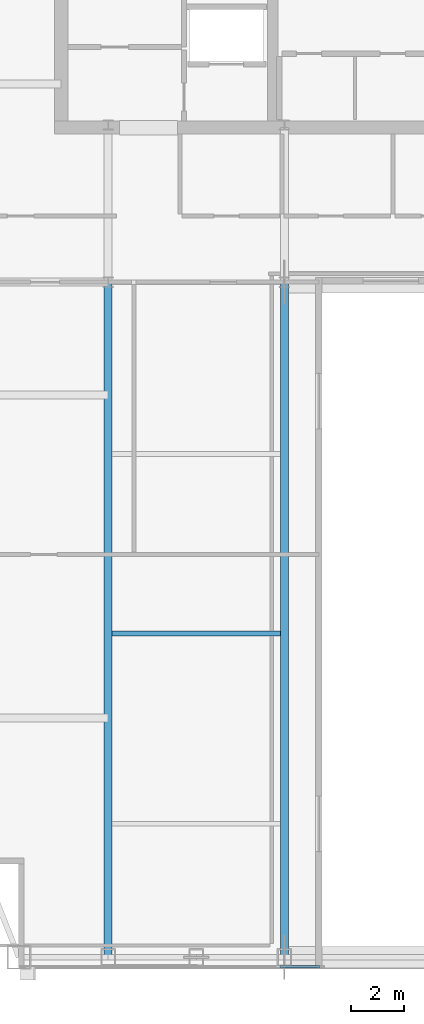
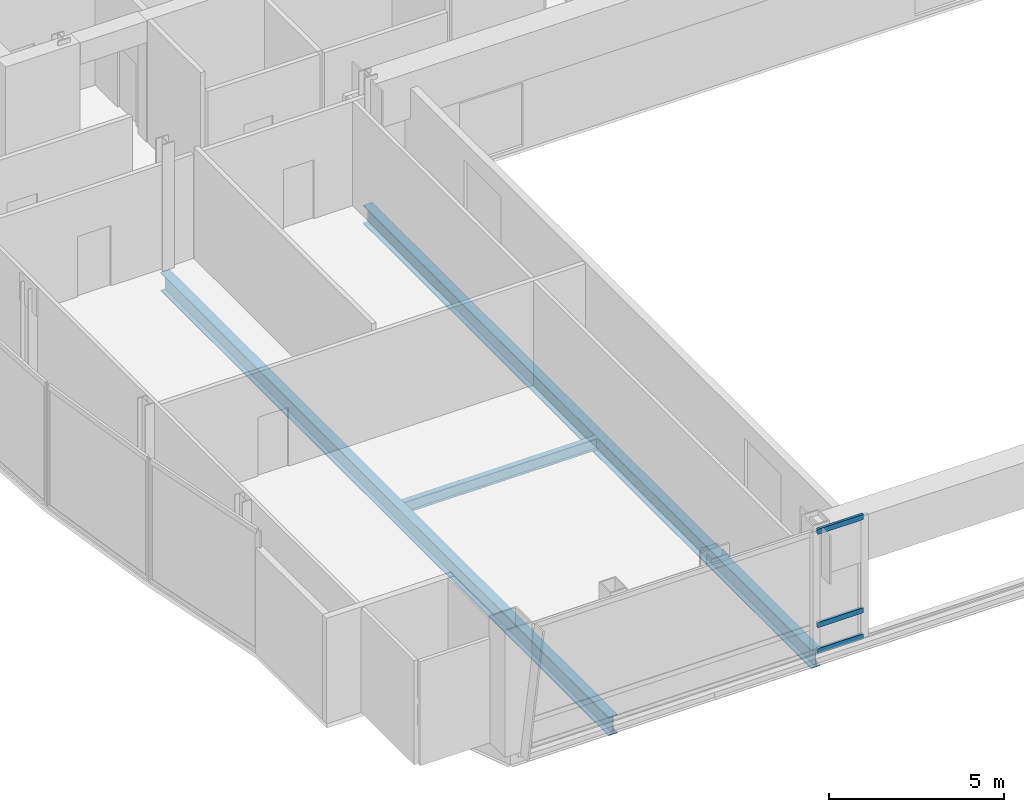
# One storey, part 6 of 27: 3 beams, 3 members, 1 element without a shape of its own.
"""IFC4 building model written with IfcOpenShell, lengths in metres."""

from ifc_helpers import new_model, si_unit, direction, frame, origin, origin_2d, place, context, subcontext, project, spatial, hollow_rectangle, i_section, extrude, material, material_profile, profile_set, type_object, element, aggregate, save


model = new_model("IFC4")

# Units and contexts
model_context = context("Model", 3, precision=1e-05, world=origin(), true_north=direction((0.0, 1.0)))
body_context = subcontext(model_context, "Body", "Model", "MODEL_VIEW")
ifc_project = project(units=[si_unit("LENGTHUNIT", "METRE"), si_unit("AREAUNIT", "SQUARE_METRE"), si_unit("VOLUMEUNIT", "CUBIC_METRE"), si_unit("PLANEANGLEUNIT", "RADIAN"), si_unit("MASSUNIT", "GRAM", prefix="KILO")], contexts=[model_context])

# Site, building, storey
site_placement = place(None, origin())
site = spatial("IfcSite", under=ifc_project, at=site_placement, CompositionType="ELEMENT")
building_placement = place(site_placement, origin())
building = spatial("IfcBuilding", under=site, at=building_placement, Name="Khoronbel Lancet Exchange", CompositionType="ELEMENT")
storey_placement = place(building_placement, frame((0.0, 0.0, 310.199951171875)))
storey = spatial("IfcBuildingStorey", under=building, at=storey_placement, Name="L80", CompositionType="ELEMENT", Elevation=310.199951171875)

# Beams
ifc_material_1 = material(Name="Steel S355", Category="steel")
ifc_material_profile_1 = material_profile(ifc_material_1, i_section(OverallWidth=0.300048828125, OverallDepth=0.64990234375, WebThickness=0.01611328125, FlangeThickness=0.031005859375, at=origin_2d()), Name="HEB 650")
ifc_profile_set_1 = profile_set([ifc_material_profile_1], Name="Steel S355")
beam_type_1 = type_object("IfcBeamType", Name="BM-BG4", PredefinedType="BEAM", material=ifc_profile_set_1)
for number, where, z_axis, x_axis, name in (
    (1, (18.22509765625, 10.14990234375, -0.48486328125), (0.0, 1.0, 0.0), (-1.0, 0.0, 0.0), "Level L80 south primary girder GS1"),
    (2, (24.89990234375, 10.14990234375, -0.48486328125), (0.0, 1.0, 0.0), (-1.0, 0.0, 0.0), "Level L80 south primary girder GS2"),
):
    element("IfcBeam", number, at=place(storey_placement, frame(where, z_axis=z_axis, x_axis=x_axis)), inside=storey, type_object=beam_type_1, Name=name, PredefinedType="BEAM", context=body_context, shape_type="SweptSolid", body=[
        extrude(i_section(OverallWidth=0.300048828125, OverallDepth=0.64990234375, WebThickness=0.01611328125, FlangeThickness=0.031005859375, at=origin_2d()), origin(), (0.0, 0.0, 1.0), 25.550048828125),
    ])
ifc_material_profile_2 = material_profile(ifc_material_1, i_section(OverallWidth=0.179931640625, OverallDepth=0.39990234375, WebThickness=0.008544921875, FlangeThickness=0.013427734375, at=origin_2d()), Name="IPE 400")
ifc_profile_set_2 = profile_set([ifc_material_profile_2], Name="Steel S355")
beam_type_2 = type_object("IfcBeamType", Name="BM-BJ5", PredefinedType="JOIST", material=ifc_profile_set_2)
beam_placement = place(storey_placement, frame((18.375, 22.39990234375, -0.35986328125), z_axis=(1.0, 0.0, 0.0), x_axis=(0.0, 1.0, 0.0)))
element("IfcBeam", 3, at=beam_placement, inside=storey, type_object=beam_type_2, Name="Level L80 secondary composite joist J03", PredefinedType="JOIST", context=body_context, shape_type="SweptSolid", body=[
    extrude(i_section(OverallWidth=0.179931640625, OverallDepth=0.39990234375, WebThickness=0.008544921875, FlangeThickness=0.013427734375, at=origin_2d()), origin(), (0.0, 0.0, 1.0), 6.375),
])

# Curtain wall, members
ifc_material_2 = material(Name="Low-E Solar Control Insulating Glass", Category="glass")
curtain_wall_type = type_object("IfcCurtainWallType", Name="CW-3", PredefinedType="NOTDEFINED", material=ifc_material_2)
curtain_wall_placement = place(storey_placement, origin())
curtain_wall = element("IfcCurtainWall", 4, at=curtain_wall_placement, inside=storey, type_object=curtain_wall_type, Name="Unitised curtain wall CW-L80-SW-PIER", PredefinedType="NOTDEFINED")
ifc_material_3 = material(Name="Bronze-Anodised Aluminium 6063-T6", Category="aluminium")
ifc_material_profile_3 = material_profile(ifc_material_3, hollow_rectangle(XDim=0.0849609375, YDim=0.179931640625, WallThickness=0.0048828125, at=origin_2d()), Name="ALU TRANSOM 85x180")
ifc_profile_set_3 = profile_set([ifc_material_profile_3], Name="Bronze-Anodised Aluminium 6063-T6")
member_type = type_object("IfcMemberType", Name="MEM-CWT1", PredefinedType="USERDEFINED", material=ifc_profile_set_3)
member_1_placement = place(storey_placement, frame((24.735107421875, 9.7900390625, 0.04248046875), z_axis=(1.0, 0.0, 0.0), x_axis=(0.0, 1.0, 0.0)))
member_1 = element("IfcMember", 5, at=member_1_placement, type_object=member_type, Name="CW3 transom 1.1", ObjectType="TRANSOM", PredefinedType="USERDEFINED", context=body_context, shape_type="SweptSolid", body=[
    extrude(hollow_rectangle(XDim=0.0849609375, YDim=0.179931640625, WallThickness=0.0048828125, at=origin_2d()), origin(), (0.0, 0.0, 1.0), 1.5048828125),
])
member_2_placement = place(storey_placement, frame((24.735107421875, 9.7900390625, 0.949951171875), z_axis=(1.0, 0.0, 0.0), x_axis=(0.0, 1.0, 0.0)))
member_2 = element("IfcMember", 6, at=member_2_placement, type_object=member_type, Name="CW3 transom 1.2", ObjectType="TRANSOM", PredefinedType="USERDEFINED", context=body_context, shape_type="SweptSolid", body=[
    extrude(hollow_rectangle(XDim=0.0849609375, YDim=0.179931640625, WallThickness=0.0048828125, at=origin_2d()), origin(), (0.0, 0.0, 1.0), 1.5048828125),
])
member_3_placement = place(storey_placement, frame((24.735107421875, 9.7900390625, 4.197509765625), z_axis=(1.0, 0.0, 0.0), x_axis=(0.0, 1.0, 0.0)))
member_3 = element("IfcMember", 7, at=member_3_placement, type_object=member_type, Name="CW3 transom 1.3", ObjectType="TRANSOM", PredefinedType="USERDEFINED", context=body_context, shape_type="SweptSolid", body=[
    extrude(hollow_rectangle(XDim=0.0849609375, YDim=0.179931640625, WallThickness=0.0048828125, at=origin_2d()), origin(), (0.0, 0.0, 1.0), 1.5048828125),
])
aggregate(curtain_wall, [member_1, member_2, member_3])

save(model, "model.ifc")
